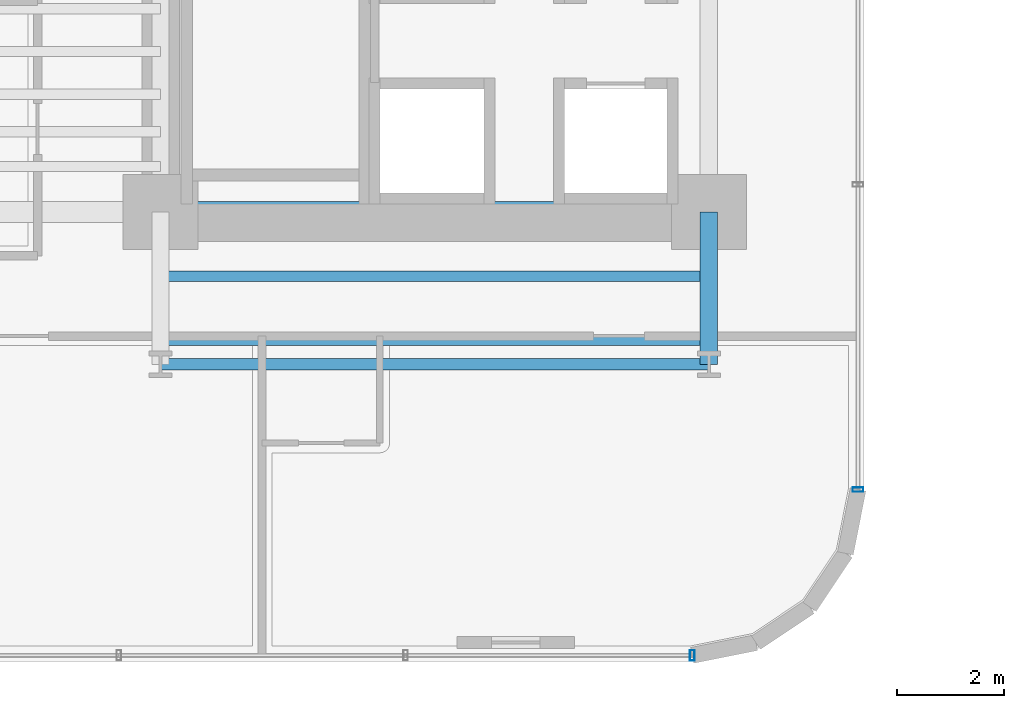
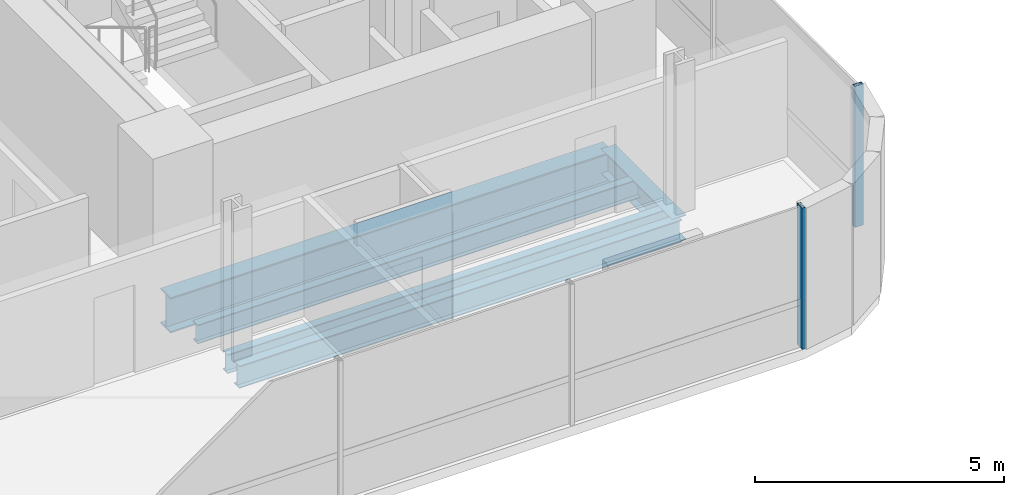
# One storey, part 5 of 42: 5 beams, 2 members, 2 elements without a shape of their own.
"""IFC4 building model written with IfcOpenShell, lengths in metres."""

from ifc_helpers import new_model, si_unit, direction, frame, origin, origin_2d, place, context, subcontext, project, spatial, hollow_rectangle, i_section, extrude, source, transform, mapped, material, material_profile, profile_set, type_object, element, aggregate, save


model = new_model("IFC4")

# Units and contexts
model_context = context("Model", 3, precision=1e-05, world=origin(), true_north=direction((0.0, 1.0)))
body_context = subcontext(model_context, "Body", "Model", "MODEL_VIEW")
ifc_project = project(units=[si_unit("LENGTHUNIT", "METRE"), si_unit("AREAUNIT", "SQUARE_METRE"), si_unit("VOLUMEUNIT", "CUBIC_METRE"), si_unit("PLANEANGLEUNIT", "RADIAN"), si_unit("MASSUNIT", "GRAM", prefix="KILO")], contexts=[model_context])

# Site, building, storey
site_placement = place(None, origin())
site = spatial("IfcSite", under=ifc_project, at=site_placement, CompositionType="ELEMENT")
building_placement = place(site_placement, origin())
building = spatial("IfcBuilding", under=site, at=building_placement, Name="Valdorenza Pilgrim Sanctuary Tower", CompositionType="ELEMENT")
storey_placement = place(building_placement, frame((0.0, 0.0, 55.60009765625)))
storey = spatial("IfcBuildingStorey", under=building, at=storey_placement, Name="L13", CompositionType="ELEMENT", Elevation=55.60009765625)

# Beams
ifc_material_1 = material(Name="Steel ASTM A992 Grade 50", Category="steel")
ifc_material_profile_1 = material_profile(ifc_material_1, i_section(OverallWidth=0.214111328125, OverallDepth=0.549072265625, WebThickness=0.0146484375, FlangeThickness=0.023681640625, at=origin_2d()), Name="W21X93")
ifc_profile_set_1 = profile_set([ifc_material_profile_1], Name="Steel ASTM A992 Grade 50")
beam_type_1 = type_object("IfcBeamType", Name="STR-BM-SPN-W21A", PredefinedType="SPANDREL", material=ifc_profile_set_1)
shared_shape_1 = source(origin(), body_context, "Body", "SweptSolid", [
    extrude(i_section(OverallWidth=0.214111328125, OverallDepth=0.549072265625, WebThickness=0.0146484375, FlangeThickness=0.023681640625, at=origin_2d()), origin(), (0.0, 0.0, 1.0), 10.25),
])
beam_1_placement = place(storey_placement, frame((-22.64990234375, -13.449951171875, -0.5146484375), z_axis=(1.0, 0.0, 0.0), x_axis=(0.0, 1.0, 0.0)))
element("IfcBeam", 1, at=beam_1_placement, inside=storey, type_object=beam_type_1, Name="L13 South Spandrel WA-S-TIE", PredefinedType="SPANDREL", context=body_context, shape_type="MappedRepresentation", body=[
    mapped(shared_shape_1, transform((0.0, 0.0, 0.0), x_axis=(1.0, 0.0, 0.0), y_axis=(0.0, 1.0, 0.0), z_axis=(0.0, 0.0, 1.0), scale=1.0)),
])
ifc_material_profile_2 = material_profile(ifc_material_1, i_section(OverallWidth=0.323974609375, OverallDepth=0.611083984375, WebThickness=0.0126953125, FlangeThickness=0.01904296875, at=origin_2d()), Name="W24X104")
ifc_profile_set_2 = profile_set([ifc_material_profile_2], Name="Steel ASTM A992 Grade 50")
beam_type_2 = type_object("IfcBeamType", Name="STR-BM-GRD-W24B", PredefinedType="BEAM", material=ifc_profile_set_2)
shared_shape_2 = source(origin(), body_context, "Body", "SweptSolid", [
    extrude(i_section(OverallWidth=0.323974609375, OverallDepth=0.611083984375, WebThickness=0.0126953125, FlangeThickness=0.01904296875, at=origin_2d()), origin(), (0.0, 0.0, 1.0), 2.849853515625),
])
beam_2_placement = place(storey_placement, frame((-12.39990234375, -13.449951171875, -0.545654296875), z_axis=(0.0, 1.0, 0.0), x_axis=(-1.0, 0.0, 0.0)))
element("IfcBeam", 2, at=beam_2_placement, inside=storey, type_object=beam_type_2, Name="L13 Floor Girder WA-S-LE", PredefinedType="BEAM", context=body_context, shape_type="MappedRepresentation", body=[
    mapped(shared_shape_2, transform((0.0, 0.0, 0.0), x_axis=(1.0, 0.0, 0.0), y_axis=(0.0, 1.0, 0.0), z_axis=(0.0, 0.0, 1.0), scale=1.0)),
])
ifc_material_profile_3 = material_profile(ifc_material_1, i_section(OverallWidth=0.193115234375, OverallDepth=0.466064453125, WebThickness=0.011474609375, FlangeThickness=0.01904296875, at=origin_2d()), Name="W18X65")
ifc_profile_set_3 = profile_set([ifc_material_profile_3], Name="Steel ASTM A992 Grade 50")
beam_type_3 = type_object("IfcBeamType", Name="STR-BM-JST-W18A", PredefinedType="JOIST", material=ifc_profile_set_3)
shared_shape_3 = source(origin(), body_context, "Body", "SweptSolid", [
    extrude(i_section(OverallWidth=0.193115234375, OverallDepth=0.466064453125, WebThickness=0.011474609375, FlangeThickness=0.01904296875, at=origin_2d()), origin(), (0.0, 0.0, 1.0), 10.25),
])
for number, where, z_axis, x_axis, name in (
    (3, (-22.64990234375, -13.0, -0.47314453125), (1.0, 0.0, 0.0), (0.0, 1.0, 0.0), "L13 Composite Floor Joist JST-WAS-1"),
    (4, (-22.64990234375, -11.800048828125, -0.47314453125), (1.0, 0.0, 0.0), (0.0, 1.0, 0.0), "L13 Composite Floor Joist JST-WAS-2"),
):
    element("IfcBeam", number, at=place(storey_placement, frame(where, z_axis=z_axis, x_axis=x_axis)), inside=storey, type_object=beam_type_3, Name=name, PredefinedType="JOIST", context=body_context, shape_type="MappedRepresentation", body=[
        mapped(shared_shape_3, transform((0.0, 0.0, 0.0), x_axis=(1.0, 0.0, 0.0), y_axis=(0.0, 1.0, 0.0), z_axis=(0.0, 0.0, 1.0), scale=1.0)),
    ])
ifc_material_profile_4 = material_profile(ifc_material_1, i_section(OverallWidth=0.39990234375, OverallDepth=0.862060546875, WebThickness=0.019775390625, FlangeThickness=0.032470703125, at=origin_2d()), Name="W33X221")
ifc_profile_set_4 = profile_set([ifc_material_profile_4], Name="Steel ASTM A992 Grade 50")
beam_type_4 = type_object("IfcBeamType", Name="STR-BM-GRD-W33", PredefinedType="BEAM", material=ifc_profile_set_4)
shared_shape_4 = source(origin(), body_context, "Body", "SweptSolid", [
    extrude(i_section(OverallWidth=0.39990234375, OverallDepth=0.862060546875, WebThickness=0.019775390625, FlangeThickness=0.032470703125, at=origin_2d()), origin(), (0.0, 0.0, 1.0), 10.25),
])
beam_3_placement = place(storey_placement, frame((-22.64990234375, -10.60009765625, -0.671142578125), z_axis=(1.0, 0.0, 0.0), x_axis=(0.0, 1.0, 0.0)))
element("IfcBeam", 5, at=beam_3_placement, inside=storey, type_object=beam_type_4, Name="L13 Floor Girder CA-XC-S1", PredefinedType="BEAM", context=body_context, shape_type="MappedRepresentation", body=[
    mapped(shared_shape_4, transform((0.0, 0.0, 0.0), x_axis=(1.0, 0.0, 0.0), y_axis=(0.0, 1.0, 0.0), z_axis=(0.0, 0.0, 1.0), scale=1.0)),
])

# Curtain wall, member
ifc_material_2 = material(Name="Curtain-wall IGU glazing", Category="glass")
curtain_wall_type = type_object("IfcCurtainWallType", Name="CW-SYS-02", PredefinedType="NOTDEFINED", material=ifc_material_2)
curtain_wall_1_placement = place(storey_placement, origin())
curtain_wall_1 = element("IfcCurtainWall", 6, at=curtain_wall_1_placement, inside=storey, type_object=curtain_wall_type, Name="L13 Curtain Wall CW-L13-1-41", PredefinedType="NOTDEFINED")
ifc_material_3 = material(Name="Anodised aluminium AW-6060", Category="aluminium")
ifc_material_profile_5 = material_profile(ifc_material_3, hollow_rectangle(XDim=0.0849609375, YDim=0.199951171875, WallThickness=0.0048828125, at=origin_2d()), Name="ALU-M 200x85x5")
ifc_profile_set_5 = profile_set([ifc_material_profile_5], Name="Anodised aluminium AW-6060")
member_type = type_object("IfcMemberType", Name="CW-MUL-02", PredefinedType="MULLION", material=ifc_profile_set_5)
shared_shape_5 = source(origin(), body_context, "Body", "SweptSolid", [
    extrude(hollow_rectangle(XDim=0.0849609375, YDim=0.199951171875, WallThickness=0.0048828125, at=origin_2d()), origin(), (0.0, 0.0, 1.0), 3.4599609375),
])
member_1_placement = place(storey_placement, frame((-9.610107421875, -15.789306640625, 0.0), z_axis=(0.0, 0.0, 1.0), x_axis=(0.0, -1.0, 0.0)))
member_1 = element("IfcMember", 7, at=member_1_placement, type_object=member_type, Name="CW-L13-1-41 Mullion 5", PredefinedType="MULLION", context=body_context, shape_type="MappedRepresentation", body=[
    mapped(shared_shape_5, transform((0.0, 0.0, 0.0), x_axis=(1.0, 0.0, 0.0), y_axis=(0.0, 1.0, 0.0), z_axis=(0.0, 0.0, 1.0), scale=1.0)),
])
aggregate(curtain_wall_1, [member_1])

curtain_wall_2_placement = place(storey_placement, origin())
curtain_wall_2 = element("IfcCurtainWall", 8, at=curtain_wall_2_placement, inside=storey, type_object=curtain_wall_type, Name="L13 Curtain Wall CW-L13-1-46", PredefinedType="NOTDEFINED")
member_2_placement = place(storey_placement, frame((-12.710693359375, -18.889892578125, 0.0), z_axis=(0.0, 0.0, 1.0), x_axis=(-1.0, 0.0, 0.0)))
member_2 = element("IfcMember", 9, at=member_2_placement, type_object=member_type, Name="CW-L13-1-46 Mullion 1", PredefinedType="MULLION", context=body_context, shape_type="MappedRepresentation", body=[
    mapped(shared_shape_5, transform((0.0, 0.0, 0.0), x_axis=(1.0, 0.0, 0.0), y_axis=(0.0, 1.0, 0.0), z_axis=(0.0, 0.0, 1.0), scale=1.0)),
])
aggregate(curtain_wall_2, [member_2])

save(model, "model.ifc")
